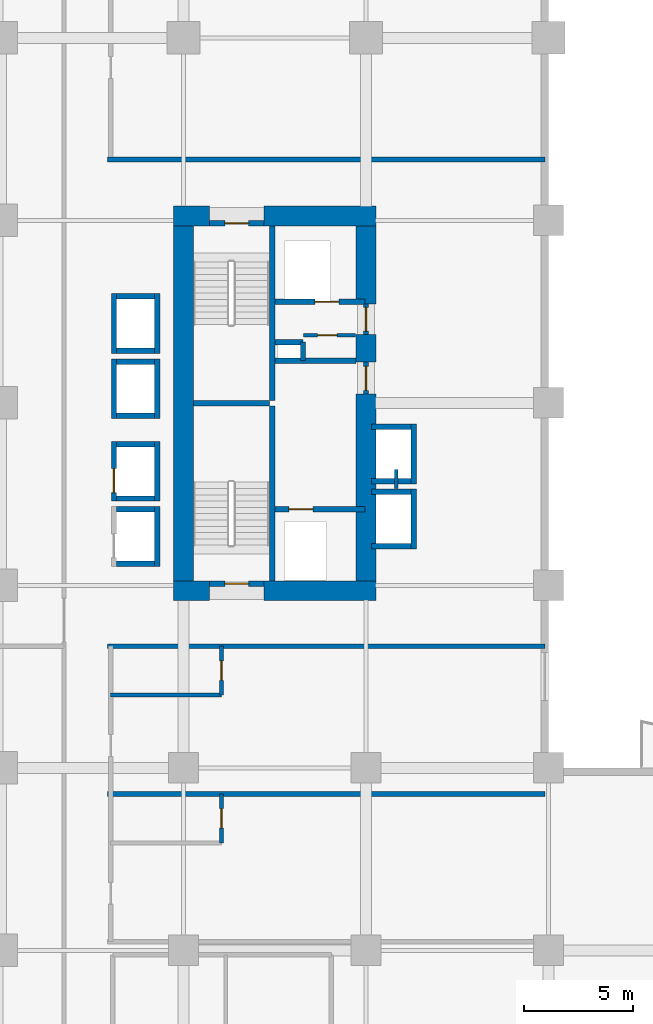
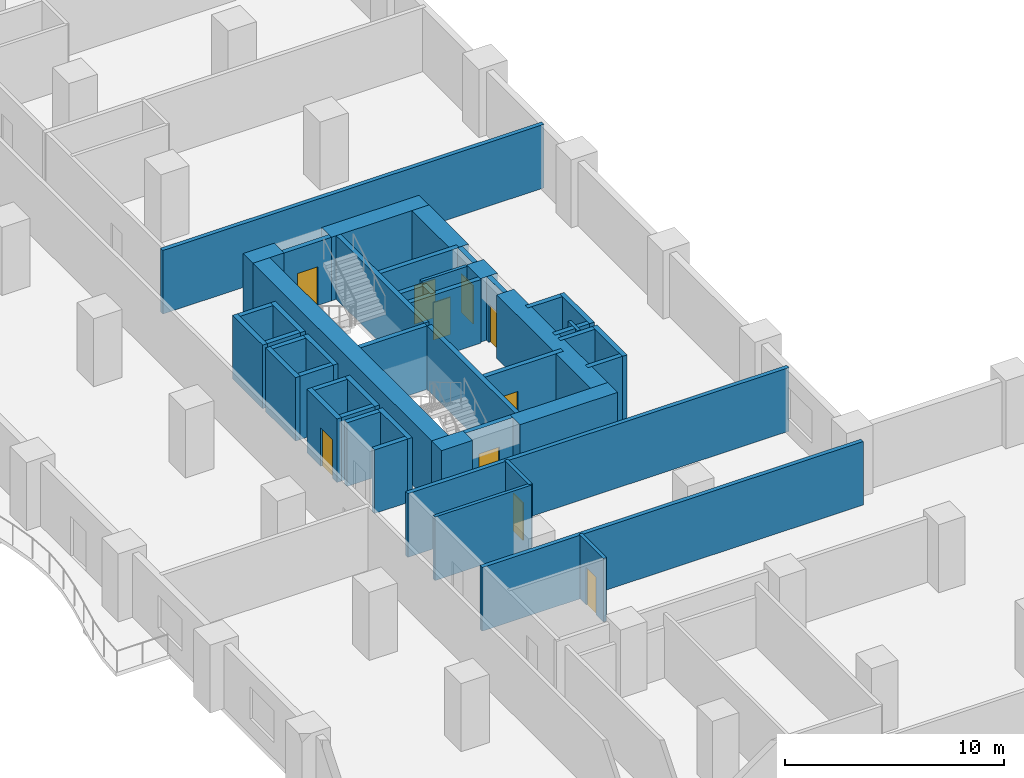
# One storey, part 11 of 21: 49 walls, 10 doors, 10 openings.
"""IFC4 building model written with IfcOpenShell, lengths in metres."""

from ifc_helpers import new_model, si_unit, direction, frame, frame_2d, origin, place, context, subcontext, project, spatial, rectangle, extrude, material, layer, layer_set, type_object, element, fill, save


model = new_model("IFC4")

# Units and contexts
model_context = context("Model", 3, precision=1e-05, world=origin(), true_north=direction((0.0, 1.0)))
body_context = subcontext(model_context, "Body", "Model", "MODEL_VIEW")
ifc_project = project(units=[si_unit("LENGTHUNIT", "METRE"), si_unit("AREAUNIT", "SQUARE_METRE"), si_unit("VOLUMEUNIT", "CUBIC_METRE"), si_unit("PLANEANGLEUNIT", "RADIAN"), si_unit("MASSUNIT", "GRAM", prefix="KILO")], contexts=[model_context])

# Site, building, storey
site_placement = place(None, origin())
site = spatial("IfcSite", under=ifc_project, at=site_placement, CompositionType="ELEMENT")
building_placement = place(site_placement, origin())
building = spatial("IfcBuilding", under=site, at=building_placement, Name="Koriwani Terraces Tower", CompositionType="ELEMENT")
storey_placement = place(building_placement, frame((0.0, 0.0, 77.60009765625)))
storey = spatial("IfcBuildingStorey", under=building, at=storey_placement, Name="L18", CompositionType="ELEMENT", Elevation=77.60009765625)

# Walls
ifc_material_1 = material(Name="Concrete C60/75", Category="concrete")
ifc_layer_1 = layer(ifc_material_1, 0.89990234375, Name="Concrete C60/75")
ifc_layer_set_1 = layer_set([ifc_layer_1], Name="Concrete C60/75")
wall_type_1 = type_object("IfcWallType", Name="WALL_CORE_RC_900", PredefinedType="SHEAR", material=ifc_layer_set_1)
wall_1_placement = place(storey_placement, frame((16.35009765625, 41.75, 0.0), z_axis=(0.0, 0.0, 1.0), x_axis=(1.0, 0.0, 0.0)))
element("IfcWall", 1, at=wall_1_placement, inside=storey, type_object=wall_type_1, Name="L18 West Split Core Shear Wall S1", PredefinedType="SHEAR", context=body_context, shape_type="SweptSolid", body=[
    extrude(rectangle(XDim=1.64990234375, YDim=0.89990234375, at=frame_2d((0.824951171875, 0.0))), origin(), (0.0, 0.0, 1.0), 3.5498046875),
])
wall_2_placement = place(storey_placement, frame((20.5, 41.75, 0.0), z_axis=(0.0, 0.0, 1.0), x_axis=(1.0, 0.0, 0.0)))
element("IfcWall", 2, at=wall_2_placement, inside=storey, type_object=wall_type_1, Name="L18 West Split Core Shear Wall S2", PredefinedType="SHEAR", context=body_context, shape_type="SweptSolid", body=[
    extrude(rectangle(XDim=5.14990234375, YDim=0.89990234375, at=frame_2d((2.574951171875, 0.0))), origin(), (0.0, 0.0, 1.0), 3.5498046875),
])
wall_3_placement = place(storey_placement, frame((16.35009765625, 59.0, 0.0), z_axis=(0.0, 0.0, 1.0), x_axis=(1.0, 0.0, 0.0)))
element("IfcWall", 3, at=wall_3_placement, inside=storey, type_object=wall_type_1, Name="L18 West Split Core Shear Wall N1", PredefinedType="SHEAR", context=body_context, shape_type="SweptSolid", body=[
    extrude(rectangle(XDim=1.64990234375, YDim=0.89990234375, at=frame_2d((0.824951171875, 0.0))), origin(), (0.0, 0.0, 1.0), 3.5498046875),
])
wall_4_placement = place(storey_placement, frame((20.5, 59.0, 0.0), z_axis=(0.0, 0.0, 1.0), x_axis=(1.0, 0.0, 0.0)))
element("IfcWall", 4, at=wall_4_placement, inside=storey, type_object=wall_type_1, Name="L18 West Split Core Shear Wall N2", PredefinedType="SHEAR", context=body_context, shape_type="SweptSolid", body=[
    extrude(rectangle(XDim=5.14990234375, YDim=0.89990234375, at=frame_2d((2.574951171875, 0.0))), origin(), (0.0, 0.0, 1.0), 3.5498046875),
])
wall_5_placement = place(storey_placement, frame((16.800048828125, 42.199951171875, 0.0), z_axis=(0.0, 0.0, 1.0), x_axis=(0.0, 1.0, 0.0)))
element("IfcWall", 5, at=wall_5_placement, inside=storey, type_object=wall_type_1, Name="L18 West Split Core Shear Wall W1", PredefinedType="SHEAR", context=body_context, shape_type="SweptSolid", body=[
    extrude(rectangle(XDim=16.35009765625, YDim=0.89990234375, at=frame_2d((8.175048828125, 0.0))), origin(), (0.0, 0.0, 1.0), 3.5498046875),
])
wall_6_placement = place(storey_placement, frame((25.199951171875, 42.199951171875, 0.0), z_axis=(0.0, 0.0, 1.0), x_axis=(0.0, 1.0, 0.0)))
element("IfcWall", 6, at=wall_6_placement, inside=storey, type_object=wall_type_1, Name="L18 West Split Core Shear Wall E1", PredefinedType="SHEAR", context=body_context, shape_type="SweptSolid", body=[
    extrude(rectangle(XDim=8.60009765625, YDim=0.89990234375, at=frame_2d((4.300048828125, 0.0))), origin(), (0.0, 0.0, 1.0), 3.5498046875),
])
wall_7_placement = place(storey_placement, frame((25.199951171875, 52.280029296875, 0.0), z_axis=(0.0, 0.0, 1.0), x_axis=(0.0, 1.0, 0.0)))
element("IfcWall", 7, at=wall_7_placement, inside=storey, type_object=wall_type_1, Name="L18 West Split Core Shear Wall E2", PredefinedType="SHEAR", context=body_context, shape_type="SweptSolid", body=[
    extrude(rectangle(XDim=1.27001953125, YDim=0.89990234375, at=frame_2d((0.635009765625, 0.0))), origin(), (0.0, 0.0, 1.0), 3.5498046875),
])
wall_8_placement = place(storey_placement, frame((25.199951171875, 54.949951171875, 0.0), z_axis=(0.0, 0.0, 1.0), x_axis=(0.0, 1.0, 0.0)))
element("IfcWall", 8, at=wall_8_placement, inside=storey, type_object=wall_type_1, Name="L18 West Split Core Shear Wall E3", PredefinedType="SHEAR", context=body_context, shape_type="SweptSolid", body=[
    extrude(rectangle(XDim=3.60009765625, YDim=0.89990234375, at=frame_2d((1.800048828125, 0.0))), origin(), (0.0, 0.0, 1.0), 3.5498046875),
])
ifc_material_2 = material(Name="Autoclaved Cellular Concrete Blockwork", Category="masonry")
ifc_layer_2 = layer(ifc_material_2, 0.219970703125, Name="Autoclaved Cellular Concrete Blockwork")
ifc_layer_set_2 = layer_set([ifc_layer_2], Name="Autoclaved Cellular Concrete Blockwork")
wall_type_2 = type_object("IfcWallType", Name="WALL_DEMISING_220", PredefinedType="PARTITIONING", material=ifc_layer_set_2)
for number, where, z_axis, x_axis, name in (
    (9, (13.300048828125, 32.39990234375, 0.0), (0.0, 0.0, 1.0), (1.0, 0.0, 0.0), "L18 Interior Wall WDEM-L18-NWI-1"),
    (10, (13.300048828125, 39.199951171875, 0.0), (0.0, 0.0, 1.0), (1.0, 0.0, 0.0), "L18 Interior Wall WDEME-L18-NWI"),
    (11, (13.300048828125, 61.60009765625, 0.0), (0.0, 0.0, 1.0), (1.0, 0.0, 0.0), "L18 Interior Wall WDEM-L18-NE-0"),
):
    element("IfcWall", number, at=place(storey_placement, frame(where, z_axis=z_axis, x_axis=x_axis)), inside=storey, type_object=wall_type_2, Name=name, PredefinedType="PARTITIONING", context=body_context, shape_type="SweptSolid", body=[
        extrude(rectangle(XDim=20.1298828125, YDim=0.219970703125, at=frame_2d((10.06494140625, 0.0))), origin(), (0.0, 0.0, 1.0), 3.5498046875),
    ])

# Wall, opening, door
ifc_material_3 = material(Name="Fire-Rated Acoustic Gypsum Partition", Category="masonry")
ifc_layer_3 = layer(ifc_material_3, 0.179931640625, Name="Fire-Rated Acoustic Gypsum Partition")
ifc_layer_set_3 = layer_set([ifc_layer_3], Name="Fire-Rated Acoustic Gypsum Partition")
wall_type_3 = type_object("IfcWallType", Name="WALL_PLUMBING_180", PredefinedType="PLUMBINGWALL", material=ifc_layer_set_3)
wall_9_placement = place(storey_placement, frame((18.550048828125, 30.14990234375, 0.0), z_axis=(0.0, 0.0, 1.0), x_axis=(0.0, 1.0, 0.0)))
wall_9 = element("IfcWall", 12, at=wall_9_placement, inside=storey, type_object=wall_type_3, Name="L18 Interior Wall WBTH1-L18-NWI-0", PredefinedType="PLUMBINGWALL", context=body_context, shape_type="SweptSolid", body=[
    extrude(rectangle(XDim=2.25, YDim=0.179931640625, at=frame_2d((1.125, 0.0))), origin(), (0.0, 0.0, 1.0), 3.5498046875),
])
opening_1_placement = place(wall_9_placement, frame((0.675048828125, 0.0, 0.0)))
opening_1 = element("IfcOpeningElement", 13, at=opening_1_placement, cuts=wall_9, Name="Opening D-07", PredefinedType="OPENING", context=body_context, shape_type="SweptSolid", body=[
    extrude(rectangle(XDim=0.89990234375, YDim=2.10009765625, at=frame_2d((0.449951171875, 1.050048828125))), frame((0.0, 0.10009765625, 0.0), z_axis=(0.0, -1.0, 0.0), x_axis=(1.0, 0.0, 0.0)), (0.0, 0.0, 1.0), 0.199951171875),
])
ifc_material_4 = material(Name="Architectural Oak Fire Door", Category="wood")
door_type_1 = type_object("IfcDoorType", Name="DOOR_BATH_INT_900X2100", OperationType="NOTDEFINED", PredefinedType="DOOR", material=ifc_material_4)
door_1_placement = place(opening_1_placement, origin())
door_1 = element("IfcDoor", 14, at=door_1_placement, inside=storey, type_object=door_type_1, Name="En-Suite Bathroom 18NWI1 Door", OperationType="SINGLE_SWING_LEFT", OverallHeight=2.10009765625, OverallWidth=0.89990234375, PredefinedType="DOOR", context=body_context, shape_type="SweptSolid", body=[
    extrude(rectangle(XDim=0.89990234375, YDim=2.10009765625, at=frame_2d((0.449951171875, 1.050048828125))), frame((0.0, 0.02490234375, 0.0), z_axis=(0.0, -1.0, 0.0), x_axis=(1.0, 0.0, 0.0)), (0.0, 0.0, 1.0), 0.050048828125),
])
fill(opening_1, door_1)

wall_10_placement = place(storey_placement, frame((18.550048828125, 36.949951171875, 0.0), z_axis=(0.0, 0.0, 1.0), x_axis=(0.0, 1.0, 0.0)))
wall_10 = element("IfcWall", 15, at=wall_10_placement, inside=storey, type_object=wall_type_3, Name="L18 Interior Wall WBTH1-L18-NWI-1", PredefinedType="PLUMBINGWALL", context=body_context, shape_type="SweptSolid", body=[
    extrude(rectangle(XDim=2.25, YDim=0.179931640625, at=frame_2d((1.125, 0.0))), origin(), (0.0, 0.0, 1.0), 3.5498046875),
])
opening_2_placement = place(wall_10_placement, frame((0.675048828125, 0.0, 0.0)))
opening_2 = element("IfcOpeningElement", 16, at=opening_2_placement, cuts=wall_10, Name="Opening D-07", PredefinedType="OPENING", context=body_context, shape_type="SweptSolid", body=[
    extrude(rectangle(XDim=0.89990234375, YDim=2.10009765625, at=frame_2d((0.449951171875, 1.050048828125))), frame((0.0, 0.10009765625, 0.0), z_axis=(0.0, -1.0, 0.0), x_axis=(1.0, 0.0, 0.0)), (0.0, 0.0, 1.0), 0.199951171875),
])
door_2_placement = place(opening_2_placement, origin())
door_2 = element("IfcDoor", 17, at=door_2_placement, inside=storey, type_object=door_type_1, Name="En-Suite Bathroom 18NWI2 Door", OperationType="SINGLE_SWING_LEFT", OverallHeight=2.10009765625, OverallWidth=0.89990234375, PredefinedType="DOOR", context=body_context, shape_type="SweptSolid", body=[
    extrude(rectangle(XDim=0.89990234375, YDim=2.10009765625, at=frame_2d((0.449951171875, 1.050048828125))), frame((0.0, 0.02490234375, 0.0), z_axis=(0.0, -1.0, 0.0), x_axis=(1.0, 0.0, 0.0)), (0.0, 0.0, 1.0), 0.050048828125),
])
fill(opening_2, door_2)

# Walls
wall_11_placement = place(storey_placement, frame((13.449951171875, 36.949951171875, 0.0), z_axis=(0.0, 0.0, 1.0), x_axis=(1.0, 0.0, 0.0)))
element("IfcWall", 18, at=wall_11_placement, inside=storey, type_object=wall_type_3, Name="L18 Interior Wall WBTH2-L18-NWI-1", PredefinedType="PLUMBINGWALL", context=body_context, shape_type="SweptSolid", body=[
    extrude(rectangle(XDim=5.10009765625, YDim=0.179931640625, at=frame_2d((2.550048828125, 0.0))), origin(), (0.0, 0.0, 1.0), 3.5498046875),
])
ifc_material_5 = material(Name="Concrete C40/50", Category="concrete")
ifc_layer_4 = layer(ifc_material_5, 0.25, Name="Concrete C40/50")
ifc_layer_set_4 = layer_set([ifc_layer_4], Name="Concrete C40/50")
wall_type_4 = type_object("IfcWallType", Name="WALL_SHAFT_RATED_250", PredefinedType="SOLIDWALL", material=ifc_layer_set_4)
for number, where, z_axis, x_axis, name in (
    (19, (20.875, 42.199951171875, 0.0), (0.0, 0.0, 1.0), (0.0, 1.0, 0.0), "L18 West Split Core Web Wall MID1"),
    (20, (20.875, 50.5, 0.0), (0.0, 0.0, 1.0), (0.0, 1.0, 0.0), "L18 West Split Core Web Wall MID2"),
):
    element("IfcWall", number, at=place(storey_placement, frame(where, z_axis=z_axis, x_axis=x_axis)), inside=storey, type_object=wall_type_4, Name=name, PredefinedType="SOLIDWALL", context=body_context, shape_type="SweptSolid", body=[
        extrude(rectangle(XDim=8.050048828125, YDim=0.25, at=frame_2d((4.02490234375, 0.0))), origin(), (0.0, 0.0, 1.0), 3.5498046875),
    ])
wall_12_placement = place(storey_placement, frame((17.25, 50.375, 0.0), z_axis=(0.0, 0.0, 1.0), x_axis=(1.0, 0.0, 0.0)))
element("IfcWall", 21, at=wall_12_placement, inside=storey, type_object=wall_type_4, Name="L18 West Split Core Stair Dividing Wall", PredefinedType="SOLIDWALL", context=body_context, shape_type="SweptSolid", body=[
    extrude(rectangle(XDim=3.5, YDim=0.25, at=frame_2d((1.75, 0.0))), origin(), (0.0, 0.0, 1.0), 3.5498046875),
])

# Wall, opening, door
wall_13_placement = place(storey_placement, frame((18.0, 42.074951171875, 0.0), z_axis=(0.0, 0.0, 1.0), x_axis=(1.0, 0.0, 0.0)))
wall_13 = element("IfcWall", 22, at=wall_13_placement, inside=storey, type_object=wall_type_4, Name="L18 Interior Wall WIN-CW-L18-STS", PredefinedType="SOLIDWALL", context=body_context, shape_type="SweptSolid", body=[
    extrude(rectangle(XDim=2.5, YDim=0.25, at=frame_2d((1.25, 0.0))), origin(), (0.0, 0.0, 1.0), 3.5498046875),
])
opening_3_placement = place(wall_13_placement, frame((0.699951171875, 0.0, 0.0)))
opening_3 = element("IfcOpeningElement", 23, at=opening_3_placement, cuts=wall_13, Name="Opening D-03", PredefinedType="OPENING", context=body_context, shape_type="SweptSolid", body=[
    extrude(rectangle(XDim=1.10009765625, YDim=2.14990234375, at=frame_2d((0.550048828125, 1.074951171875))), frame((0.0, 0.135009765625, 0.0), z_axis=(0.0, -1.0, 0.0), x_axis=(1.0, 0.0, 0.0)), (0.0, 0.0, 1.0), 0.27001953125),
])
ifc_material_6 = material(Name="Steel ASTM A572 Grade 50", Category="steel")
door_type_2 = type_object("IfcDoorType", Name="DOOR_STAIR_FIRE_1100X2150", OperationType="NOTDEFINED", PredefinedType="DOOR", material=ifc_material_6)
door_3_placement = place(opening_3_placement, origin())
door_3 = element("IfcDoor", 24, at=door_3_placement, inside=storey, type_object=door_type_2, Name="L18 Exit Stair ST-W1 Door", OperationType="SINGLE_SWING_RIGHT", OverallHeight=2.14990234375, OverallWidth=1.10009765625, PredefinedType="DOOR", context=body_context, shape_type="SweptSolid", body=[
    extrude(rectangle(XDim=1.10009765625, YDim=2.14990234375, at=frame_2d((0.550048828125, 1.074951171875))), frame((0.0, 0.02490234375, 0.0), z_axis=(0.0, -1.0, 0.0), x_axis=(1.0, 0.0, 0.0)), (0.0, 0.0, 1.0), 0.050048828125),
])
fill(opening_3, door_3)

wall_14_placement = place(storey_placement, frame((18.0, 58.675048828125, 0.0), z_axis=(0.0, 0.0, 1.0), x_axis=(1.0, 0.0, 0.0)))
wall_14 = element("IfcWall", 25, at=wall_14_placement, inside=storey, type_object=wall_type_4, Name="L18 Interior Wall WIN-CW-L18-STN", PredefinedType="SOLIDWALL", context=body_context, shape_type="SweptSolid", body=[
    extrude(rectangle(XDim=2.5, YDim=0.25, at=frame_2d((1.25, 0.0))), origin(), (0.0, 0.0, 1.0), 3.5498046875),
])
opening_4_placement = place(wall_14_placement, frame((0.699951171875, 0.0, 0.0)))
opening_4 = element("IfcOpeningElement", 26, at=opening_4_placement, cuts=wall_14, Name="Opening D-03", PredefinedType="OPENING", context=body_context, shape_type="SweptSolid", body=[
    extrude(rectangle(XDim=1.10009765625, YDim=2.14990234375, at=frame_2d((0.550048828125, 1.074951171875))), frame((0.0, 0.135009765625, 0.0), z_axis=(0.0, -1.0, 0.0), x_axis=(1.0, 0.0, 0.0)), (0.0, 0.0, 1.0), 0.27001953125),
])
door_4_placement = place(opening_4_placement, origin())
door_4 = element("IfcDoor", 27, at=door_4_placement, inside=storey, type_object=door_type_2, Name="L18 Exit Stair ST-W2 Door", OperationType="SINGLE_SWING_LEFT", OverallHeight=2.14990234375, OverallWidth=1.10009765625, PredefinedType="DOOR", context=body_context, shape_type="SweptSolid", body=[
    extrude(rectangle(XDim=1.10009765625, YDim=2.14990234375, at=frame_2d((0.550048828125, 1.074951171875))), frame((0.0, 0.02490234375, 0.0), z_axis=(0.0, -1.0, 0.0), x_axis=(1.0, 0.0, 0.0)), (0.0, 0.0, 1.0), 0.050048828125),
])
fill(opening_4, door_4)

wall_15_placement = place(storey_placement, frame((21.0, 45.5, 0.0), z_axis=(0.0, 0.0, 1.0), x_axis=(1.0, 0.0, 0.0)))
wall_15 = element("IfcWall", 28, at=wall_15_placement, inside=storey, type_object=wall_type_4, Name="L18 Interior Wall WIN-CW-L18-FE", PredefinedType="SOLIDWALL", context=body_context, shape_type="SweptSolid", body=[
    extrude(rectangle(XDim=4.14990234375, YDim=0.25, at=frame_2d((2.074951171875, 0.0))), origin(), (0.0, 0.0, 1.0), 3.5498046875),
])
opening_5_placement = place(wall_15_placement, frame((0.64990234375, 0.0, 0.0)))
opening_5 = element("IfcOpeningElement", 29, at=opening_5_placement, cuts=wall_15, Name="Opening LD-01", PredefinedType="OPENING", context=body_context, shape_type="SweptSolid", body=[
    extrude(rectangle(XDim=1.10009765625, YDim=2.14990234375, at=frame_2d((0.550048828125, 1.074951171875))), frame((0.0, 0.135009765625, 0.0), z_axis=(0.0, -1.0, 0.0), x_axis=(1.0, 0.0, 0.0)), (0.0, 0.0, 1.0), 0.27001953125),
])
door_type_3 = type_object("IfcDoorType", Name="DOOR_LIFT_LANDING_1100X2200", OperationType="NOTDEFINED", PredefinedType="DOOR", material=ifc_material_6)
door_5_placement = place(opening_5_placement, origin())
door_5 = element("IfcDoor", 30, at=door_5_placement, inside=storey, type_object=door_type_3, Name="L18 Firefighting Lift FE-01 Landing Door", OperationType="SLIDING_TO_LEFT", OverallHeight=2.14990234375, OverallWidth=1.10009765625, PredefinedType="DOOR", context=body_context, shape_type="SweptSolid", body=[
    extrude(rectangle(XDim=1.10009765625, YDim=2.14990234375, at=frame_2d((0.550048828125, 1.074951171875))), frame((0.0, 0.02490234375, 0.0), z_axis=(0.0, -1.0, 0.0), x_axis=(1.0, 0.0, 0.0)), (0.0, 0.0, 1.0), 0.050048828125),
])
fill(opening_5, door_5)

wall_16_placement = place(storey_placement, frame((25.199951171875, 50.800048828125, 0.0), z_axis=(0.0, 0.0, 1.0), x_axis=(0.0, 1.0, 0.0)))
wall_16 = element("IfcWall", 31, at=wall_16_placement, inside=storey, type_object=wall_type_4, Name="L18 Interior Wall WIN-CW-L18-EP", PredefinedType="SOLIDWALL", context=body_context, shape_type="SweptSolid", body=[
    extrude(rectangle(XDim=1.47998046875, YDim=0.25, at=frame_2d((0.739990234375, 0.0))), origin(), (0.0, 0.0, 1.0), 3.5498046875),
])
opening_6_placement = place(wall_16_placement, frame((0.179931640625, 0.0, 0.0)))
opening_6 = element("IfcOpeningElement", 32, at=opening_6_placement, cuts=wall_16, Name="Opening D-03", PredefinedType="OPENING", context=body_context, shape_type="SweptSolid", body=[
    extrude(rectangle(XDim=1.10009765625, YDim=2.14990234375, at=frame_2d((0.550048828125, 1.074951171875))), frame((0.0, 0.135009765625, 0.0), z_axis=(0.0, -1.0, 0.0), x_axis=(1.0, 0.0, 0.0)), (0.0, 0.0, 1.0), 0.27001953125),
])
door_6_placement = place(opening_6_placement, origin())
door_6 = element("IfcDoor", 33, at=door_6_placement, inside=storey, type_object=door_type_2, Name="L18 West Firefighting Lobby Door", OperationType="SINGLE_SWING_RIGHT", OverallHeight=2.14990234375, OverallWidth=1.10009765625, PredefinedType="DOOR", context=body_context, shape_type="SweptSolid", body=[
    extrude(rectangle(XDim=1.10009765625, YDim=2.14990234375, at=frame_2d((0.550048828125, 1.074951171875))), frame((0.0, 0.02490234375, 0.0), z_axis=(0.0, -1.0, 0.0), x_axis=(1.0, 0.0, 0.0)), (0.0, 0.0, 1.0), 0.050048828125),
])
fill(opening_6, door_6)

# Wall
wall_17_placement = place(storey_placement, frame((21.0, 52.340087890625, 0.0), z_axis=(0.0, 0.0, 1.0), x_axis=(1.0, 0.0, 0.0)))
element("IfcWall", 34, at=wall_17_placement, inside=storey, type_object=wall_type_4, Name="L18 Interior Wall WIN-CW-L18-FFN", PredefinedType="SOLIDWALL", context=body_context, shape_type="SweptSolid", body=[
    extrude(rectangle(XDim=3.75, YDim=0.25, at=frame_2d((1.875, 0.0))), origin(), (0.0, 0.0, 1.0), 3.5498046875),
])

# Wall, opening, door
wall_18_placement = place(storey_placement, frame((21.0, 55.050048828125, 0.0), z_axis=(0.0, 0.0, 1.0), x_axis=(1.0, 0.0, 0.0)))
wall_18 = element("IfcWall", 35, at=wall_18_placement, inside=storey, type_object=wall_type_4, Name="L18 Interior Wall WIN-CW-L18-SE", PredefinedType="SOLIDWALL", context=body_context, shape_type="SweptSolid", body=[
    extrude(rectangle(XDim=4.14990234375, YDim=0.25, at=frame_2d((2.074951171875, 0.0))), origin(), (0.0, 0.0, 1.0), 3.5498046875),
])
opening_7_placement = place(wall_18_placement, frame((1.85009765625, 0.0, 0.0)))
opening_7 = element("IfcOpeningElement", 36, at=opening_7_placement, cuts=wall_18, Name="Opening LD-01", PredefinedType="OPENING", context=body_context, shape_type="SweptSolid", body=[
    extrude(rectangle(XDim=1.10009765625, YDim=2.14990234375, at=frame_2d((0.550048828125, 1.074951171875))), frame((0.0, 0.135009765625, 0.0), z_axis=(0.0, -1.0, 0.0), x_axis=(1.0, 0.0, 0.0)), (0.0, 0.0, 1.0), 0.27001953125),
])
door_7_placement = place(opening_7_placement, origin())
door_7 = element("IfcDoor", 37, at=door_7_placement, inside=storey, type_object=door_type_3, Name="L18 Goods Lift SE-01 Landing Door", OperationType="SLIDING_TO_LEFT", OverallHeight=2.14990234375, OverallWidth=1.10009765625, PredefinedType="DOOR", context=body_context, shape_type="SweptSolid", body=[
    extrude(rectangle(XDim=1.10009765625, YDim=2.14990234375, at=frame_2d((0.550048828125, 1.074951171875))), frame((0.0, 0.02490234375, 0.0), z_axis=(0.0, -1.0, 0.0), x_axis=(1.0, 0.0, 0.0)), (0.0, 0.0, 1.0), 0.050048828125),
])
fill(opening_7, door_7)

wall_19_placement = place(storey_placement, frame((25.199951171875, 53.550048828125, 0.0), z_axis=(0.0, 0.0, 1.0), x_axis=(0.0, 1.0, 0.0)))
wall_19 = element("IfcWall", 38, at=wall_19_placement, inside=storey, type_object=wall_type_4, Name="L18 Interior Wall WIN-CW-L18-EP2", PredefinedType="SOLIDWALL", context=body_context, shape_type="SweptSolid", body=[
    extrude(rectangle(XDim=1.39990234375, YDim=0.25, at=frame_2d((0.699951171875, 0.0))), origin(), (0.0, 0.0, 1.0), 3.5498046875),
])
opening_8_placement = place(wall_19_placement, frame((0.14990234375, 0.0, 0.0)))
opening_8 = element("IfcOpeningElement", 39, at=opening_8_placement, cuts=wall_19, Name="Opening D-03", PredefinedType="OPENING", context=body_context, shape_type="SweptSolid", body=[
    extrude(rectangle(XDim=1.10009765625, YDim=2.14990234375, at=frame_2d((0.550048828125, 1.074951171875))), frame((0.0, 0.135009765625, 0.0), z_axis=(0.0, -1.0, 0.0), x_axis=(1.0, 0.0, 0.0)), (0.0, 0.0, 1.0), 0.27001953125),
])
door_8_placement = place(opening_8_placement, origin())
door_8 = element("IfcDoor", 40, at=door_8_placement, inside=storey, type_object=door_type_2, Name="L18 West Goods Lift Lobby Door", OperationType="SINGLE_SWING_LEFT", OverallHeight=2.14990234375, OverallWidth=1.10009765625, PredefinedType="DOOR", context=body_context, shape_type="SweptSolid", body=[
    extrude(rectangle(XDim=1.10009765625, YDim=2.14990234375, at=frame_2d((0.550048828125, 1.074951171875))), frame((0.0, 0.02490234375, 0.0), z_axis=(0.0, -1.0, 0.0), x_axis=(1.0, 0.0, 0.0)), (0.0, 0.0, 1.0), 0.050048828125),
])
fill(opening_8, door_8)

# Walls
wall_20_placement = place(storey_placement, frame((21.0, 53.199951171875, 0.0), z_axis=(0.0, 0.0, 1.0), x_axis=(1.0, 0.0, 0.0)))
element("IfcWall", 41, at=wall_20_placement, inside=storey, type_object=wall_type_4, Name="L18 Interior Wall WIN-CW-L18-RS1", PredefinedType="SOLIDWALL", context=body_context, shape_type="SweptSolid", body=[
    extrude(rectangle(XDim=1.300048828125, YDim=0.25, at=frame_2d((0.64990234375, 0.0))), origin(), (0.0, 0.0, 1.0), 3.5498046875),
])
wall_21_placement = place(storey_placement, frame((22.300048828125, 52.360107421875, 0.0), z_axis=(0.0, 0.0, 1.0), x_axis=(0.0, 1.0, 0.0)))
element("IfcWall", 42, at=wall_21_placement, inside=storey, type_object=wall_type_4, Name="L18 Interior Wall WIN-CW-L18-RS2", PredefinedType="SOLIDWALL", context=body_context, shape_type="SweptSolid", body=[
    extrude(rectangle(XDim=0.83984375, YDim=0.25, at=frame_2d((0.419921875, 0.0))), origin(), (0.0, 0.0, 1.0), 3.5498046875),
])
wall_22_placement = place(storey_placement, frame((15.60009765625, 42.875, 0.0), z_axis=(0.0, 0.0, 1.0), x_axis=(0.0, 1.0, 0.0)))
element("IfcWall", 43, at=wall_22_placement, inside=storey, type_object=wall_type_4, Name="L18 Interior Wall WIN-LF-PE-L1-L18-B", PredefinedType="SOLIDWALL", context=body_context, shape_type="SweptSolid", body=[
    extrude(rectangle(XDim=2.75, YDim=0.25, at=frame_2d((1.375, 0.0))), origin(), (0.0, 0.0, 1.0), 3.5498046875),
])
for number, where, z_axis, x_axis, name in (
    (44, (13.72509765625, 43.0, 0.0), (0.0, 0.0, 1.0), (1.0, 0.0, 0.0), "L18 Interior Wall WIN-LF-PE-L1-L18-S"),
    (45, (13.72509765625, 45.5, 0.0), (0.0, 0.0, 1.0), (1.0, 0.0, 0.0), "L18 Interior Wall WIN-LF-PE-L1-L18-N"),
):
    element("IfcWall", number, at=place(storey_placement, frame(where, z_axis=z_axis, x_axis=x_axis)), inside=storey, type_object=wall_type_4, Name=name, PredefinedType="SOLIDWALL", context=body_context, shape_type="SweptSolid", body=[
        extrude(rectangle(XDim=1.75, YDim=0.25, at=frame_2d((0.875, 0.0))), origin(), (0.0, 0.0, 1.0), 3.5498046875),
    ])

# Wall, opening, door
wall_23_placement = place(storey_placement, frame((13.60009765625, 45.875, 0.0), z_axis=(0.0, 0.0, 1.0), x_axis=(0.0, 1.0, 0.0)))
wall_23 = element("IfcWall", 46, at=wall_23_placement, inside=storey, type_object=wall_type_4, Name="L18 Interior Wall WIN-LF-PE-L2-L18-F", PredefinedType="SOLIDWALL", context=body_context, shape_type="SweptSolid", body=[
    extrude(rectangle(XDim=2.75, YDim=0.25, at=frame_2d((1.375, 0.0))), origin(), (0.0, 0.0, 1.0), 3.5498046875),
])
opening_9_placement = place(wall_23_placement, frame((0.39990234375, 0.0, 0.0)))
opening_9 = element("IfcOpeningElement", 47, at=opening_9_placement, cuts=wall_23, Name="Opening LD-01", PredefinedType="OPENING", context=body_context, shape_type="SweptSolid", body=[
    extrude(rectangle(XDim=1.10009765625, YDim=2.14990234375, at=frame_2d((0.550048828125, 1.074951171875))), frame((0.0, 0.135009765625, 0.0), z_axis=(0.0, -1.0, 0.0), x_axis=(1.0, 0.0, 0.0)), (0.0, 0.0, 1.0), 0.27001953125),
])
door_9_placement = place(opening_9_placement, origin())
door_9 = element("IfcDoor", 48, at=door_9_placement, inside=storey, type_object=door_type_3, Name="L18 Passenger Lift PE-L2 Landing Door", OperationType="SLIDING_TO_LEFT", OverallHeight=2.14990234375, OverallWidth=1.10009765625, PredefinedType="DOOR", context=body_context, shape_type="SweptSolid", body=[
    extrude(rectangle(XDim=1.10009765625, YDim=2.14990234375, at=frame_2d((0.550048828125, 1.074951171875))), frame((0.0, 0.02490234375, 0.0), z_axis=(0.0, -1.0, 0.0), x_axis=(1.0, 0.0, 0.0)), (0.0, 0.0, 1.0), 0.050048828125),
])
fill(opening_9, door_9)

# Walls
wall_24_placement = place(storey_placement, frame((15.60009765625, 45.875, 0.0), z_axis=(0.0, 0.0, 1.0), x_axis=(0.0, 1.0, 0.0)))
element("IfcWall", 49, at=wall_24_placement, inside=storey, type_object=wall_type_4, Name="L18 Interior Wall WIN-LF-PE-L2-L18-B", PredefinedType="SOLIDWALL", context=body_context, shape_type="SweptSolid", body=[
    extrude(rectangle(XDim=2.75, YDim=0.25, at=frame_2d((1.375, 0.0))), origin(), (0.0, 0.0, 1.0), 3.5498046875),
])
for number, where, z_axis, x_axis, name in (
    (50, (13.72509765625, 46.0, 0.0), (0.0, 0.0, 1.0), (1.0, 0.0, 0.0), "L18 Interior Wall WIN-LF-PE-L2-L18-S"),
    (51, (13.72509765625, 48.5, 0.0), (0.0, 0.0, 1.0), (1.0, 0.0, 0.0), "L18 Interior Wall WIN-LF-PE-L2-L18-N"),
):
    element("IfcWall", number, at=place(storey_placement, frame(where, z_axis=z_axis, x_axis=x_axis)), inside=storey, type_object=wall_type_4, Name=name, PredefinedType="SOLIDWALL", context=body_context, shape_type="SweptSolid", body=[
        extrude(rectangle(XDim=1.75, YDim=0.25, at=frame_2d((0.875, 0.0))), origin(), (0.0, 0.0, 1.0), 3.5498046875),
    ])
for number, where, z_axis, x_axis, name in (
    (52, (13.60009765625, 49.675048828125, 0.0), (0.0, 0.0, 1.0), (0.0, 1.0, 0.0), "L18 Interior Wall WIN-LF-PE-M1-L18-F"),
    (53, (15.60009765625, 49.675048828125, 0.0), (0.0, 0.0, 1.0), (0.0, 1.0, 0.0), "L18 Interior Wall WIN-LF-PE-M1-L18-B"),
):
    element("IfcWall", number, at=place(storey_placement, frame(where, z_axis=z_axis, x_axis=x_axis)), inside=storey, type_object=wall_type_4, Name=name, PredefinedType="SOLIDWALL", context=body_context, shape_type="SweptSolid", body=[
        extrude(rectangle(XDim=2.75, YDim=0.25, at=frame_2d((1.375, 0.0))), origin(), (0.0, 0.0, 1.0), 3.5498046875),
    ])
for number, where, z_axis, x_axis, name in (
    (54, (13.72509765625, 49.800048828125, 0.0), (0.0, 0.0, 1.0), (1.0, 0.0, 0.0), "L18 Interior Wall WIN-LF-PE-M1-L18-S"),
    (55, (13.72509765625, 52.300048828125, 0.0), (0.0, 0.0, 1.0), (1.0, 0.0, 0.0), "L18 Interior Wall WIN-LF-PE-M1-L18-N"),
):
    element("IfcWall", number, at=place(storey_placement, frame(where, z_axis=z_axis, x_axis=x_axis)), inside=storey, type_object=wall_type_4, Name=name, PredefinedType="SOLIDWALL", context=body_context, shape_type="SweptSolid", body=[
        extrude(rectangle(XDim=1.75, YDim=0.25, at=frame_2d((0.875, 0.0))), origin(), (0.0, 0.0, 1.0), 3.5498046875),
    ])
for number, where, z_axis, x_axis, name in (
    (56, (13.60009765625, 52.675048828125, 0.0), (0.0, 0.0, 1.0), (0.0, 1.0, 0.0), "L18 Interior Wall WIN-LF-PE-M2-L18-F"),
    (57, (15.60009765625, 52.675048828125, 0.0), (0.0, 0.0, 1.0), (0.0, 1.0, 0.0), "L18 Interior Wall WIN-LF-PE-M2-L18-B"),
):
    element("IfcWall", number, at=place(storey_placement, frame(where, z_axis=z_axis, x_axis=x_axis)), inside=storey, type_object=wall_type_4, Name=name, PredefinedType="SOLIDWALL", context=body_context, shape_type="SweptSolid", body=[
        extrude(rectangle(XDim=2.75, YDim=0.25, at=frame_2d((1.375, 0.0))), origin(), (0.0, 0.0, 1.0), 3.5498046875),
    ])
for number, where, z_axis, x_axis, name in (
    (58, (13.72509765625, 52.800048828125, 0.0), (0.0, 0.0, 1.0), (1.0, 0.0, 0.0), "L18 Interior Wall WIN-LF-PE-M2-L18-S"),
    (59, (13.72509765625, 55.300048828125, 0.0), (0.0, 0.0, 1.0), (1.0, 0.0, 0.0), "L18 Interior Wall WIN-LF-PE-M2-L18-N"),
):
    element("IfcWall", number, at=place(storey_placement, frame(where, z_axis=z_axis, x_axis=x_axis)), inside=storey, type_object=wall_type_4, Name=name, PredefinedType="SOLIDWALL", context=body_context, shape_type="SweptSolid", body=[
        extrude(rectangle(XDim=1.75, YDim=0.25, at=frame_2d((0.875, 0.0))), origin(), (0.0, 0.0, 1.0), 3.5498046875),
    ])
wall_25_placement = place(storey_placement, frame((27.39990234375, 43.675048828125, 0.0), z_axis=(0.0, 0.0, 1.0), x_axis=(0.0, 1.0, 0.0)))
element("IfcWall", 60, at=wall_25_placement, inside=storey, type_object=wall_type_4, Name="L18 Interior Wall WIN-LF-PE-H1-L18-F", PredefinedType="SOLIDWALL", context=body_context, shape_type="SweptSolid", body=[
    extrude(rectangle(XDim=2.75, YDim=0.25, at=frame_2d((1.375, 0.0))), origin(), (0.0, 0.0, 1.0), 3.5498046875),
])
for number, where, z_axis, x_axis, name in (
    (61, (25.449951171875, 43.800048828125, 0.0), (0.0, 0.0, 1.0), (1.0, 0.0, 0.0), "L18 Interior Wall WIN-LF-PE-H1-L18-S"),
    (62, (25.449951171875, 46.300048828125, 0.0), (0.0, 0.0, 1.0), (1.0, 0.0, 0.0), "L18 Interior Wall WIN-LF-PE-H1-L18-N"),
):
    element("IfcWall", number, at=place(storey_placement, frame(where, z_axis=z_axis, x_axis=x_axis)), inside=storey, type_object=wall_type_4, Name=name, PredefinedType="SOLIDWALL", context=body_context, shape_type="SweptSolid", body=[
        extrude(rectangle(XDim=1.824951171875, YDim=0.25, at=frame_2d((0.91259765625, 0.0))), origin(), (0.0, 0.0, 1.0), 3.5498046875),
    ])
wall_26_placement = place(storey_placement, frame((27.39990234375, 46.675048828125, 0.0), z_axis=(0.0, 0.0, 1.0), x_axis=(0.0, 1.0, 0.0)))
element("IfcWall", 63, at=wall_26_placement, inside=storey, type_object=wall_type_4, Name="L18 Interior Wall WIN-LF-PE-H2-L18-F", PredefinedType="SOLIDWALL", context=body_context, shape_type="SweptSolid", body=[
    extrude(rectangle(XDim=2.75, YDim=0.25, at=frame_2d((1.375, 0.0))), origin(), (0.0, 0.0, 1.0), 3.5498046875),
])
for number, where, z_axis, x_axis, name in (
    (64, (25.449951171875, 46.800048828125, 0.0), (0.0, 0.0, 1.0), (1.0, 0.0, 0.0), "L18 Interior Wall WIN-LF-PE-H2-L18-S"),
    (65, (25.449951171875, 49.300048828125, 0.0), (0.0, 0.0, 1.0), (1.0, 0.0, 0.0), "L18 Interior Wall WIN-LF-PE-H2-L18-N"),
):
    element("IfcWall", number, at=place(storey_placement, frame(where, z_axis=z_axis, x_axis=x_axis)), inside=storey, type_object=wall_type_4, Name=name, PredefinedType="SOLIDWALL", context=body_context, shape_type="SweptSolid", body=[
        extrude(rectangle(XDim=1.824951171875, YDim=0.25, at=frame_2d((0.91259765625, 0.0))), origin(), (0.0, 0.0, 1.0), 3.5498046875),
    ])

# Wall, opening, door
ifc_layer_5 = layer(ifc_material_3, 0.159912109375, Name="Fire-Rated Acoustic Gypsum Partition")
ifc_layer_set_5 = layer_set([ifc_layer_5], Name="Fire-Rated Acoustic Gypsum Partition")
wall_type_5 = type_object("IfcWallType", Name="WALL_SUITE_160", PredefinedType="PARTITIONING", material=ifc_layer_set_5)
wall_27_placement = place(storey_placement, frame((22.320068359375, 53.52001953125, 0.0), z_axis=(0.0, 0.0, 1.0), x_axis=(1.0, 0.0, 0.0)))
wall_27 = element("IfcWall", 66, at=wall_27_placement, inside=storey, type_object=wall_type_5, Name="L18 Interior Wall WIN-CW-L18-SV0", PredefinedType="PARTITIONING", context=body_context, shape_type="SweptSolid", body=[
    extrude(rectangle(XDim=2.39990234375, YDim=0.159912109375, at=frame_2d((1.199951171875, 0.0))), origin(), (0.0, 0.0, 1.0), 3.5498046875),
])
opening_10_placement = place(wall_27_placement, frame((0.64990234375, 0.0, 0.0)))
opening_10 = element("IfcOpeningElement", 67, at=opening_10_placement, cuts=wall_27, Name="Opening D-07", PredefinedType="OPENING", context=body_context, shape_type="SweptSolid", body=[
    extrude(rectangle(XDim=0.89990234375, YDim=2.10009765625, at=frame_2d((0.449951171875, 1.050048828125))), frame((0.0, 0.08984375, 0.0), z_axis=(0.0, -1.0, 0.0), x_axis=(1.0, 0.0, 0.0)), (0.0, 0.0, 1.0), 0.179931640625),
])
door_10_placement = place(opening_10_placement, origin())
door_10 = element("IfcDoor", 68, at=door_10_placement, inside=storey, type_object=door_type_1, Name="L18 West Electrical Switch Room Door", OperationType="SINGLE_SWING_RIGHT", OverallHeight=2.10009765625, OverallWidth=0.89990234375, PredefinedType="DOOR", context=body_context, shape_type="SweptSolid", body=[
    extrude(rectangle(XDim=0.89990234375, YDim=2.10009765625, at=frame_2d((0.449951171875, 1.050048828125))), frame((0.0, 0.02490234375, 0.0), z_axis=(0.0, -1.0, 0.0), x_axis=(1.0, 0.0, 0.0)), (0.0, 0.0, 1.0), 0.050048828125),
])
fill(opening_10, door_10)

# Wall
wall_28_placement = place(storey_placement, frame((26.60009765625, 46.4599609375, 0.0), z_axis=(0.0, 0.0, 1.0), x_axis=(0.0, 1.0, 0.0)))
element("IfcWall", 69, at=wall_28_placement, inside=storey, type_object=wall_type_5, Name="L18 Interior Wall WIN-LF-PEH12-MID-L18", PredefinedType="PARTITIONING", context=body_context, shape_type="SweptSolid", body=[
    extrude(rectangle(XDim=0.880126953125, YDim=0.159912109375, at=frame_2d((0.43994140625, 0.0))), origin(), (0.0, 0.0, 1.0), 3.5498046875),
])

save(model, "model.ifc")
